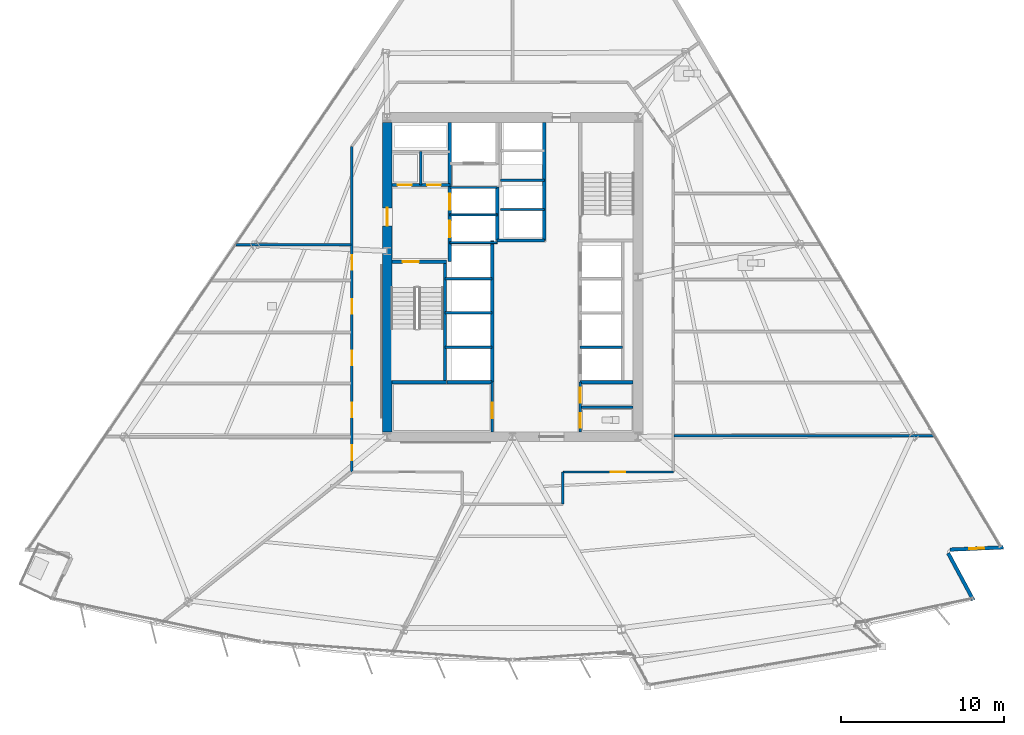
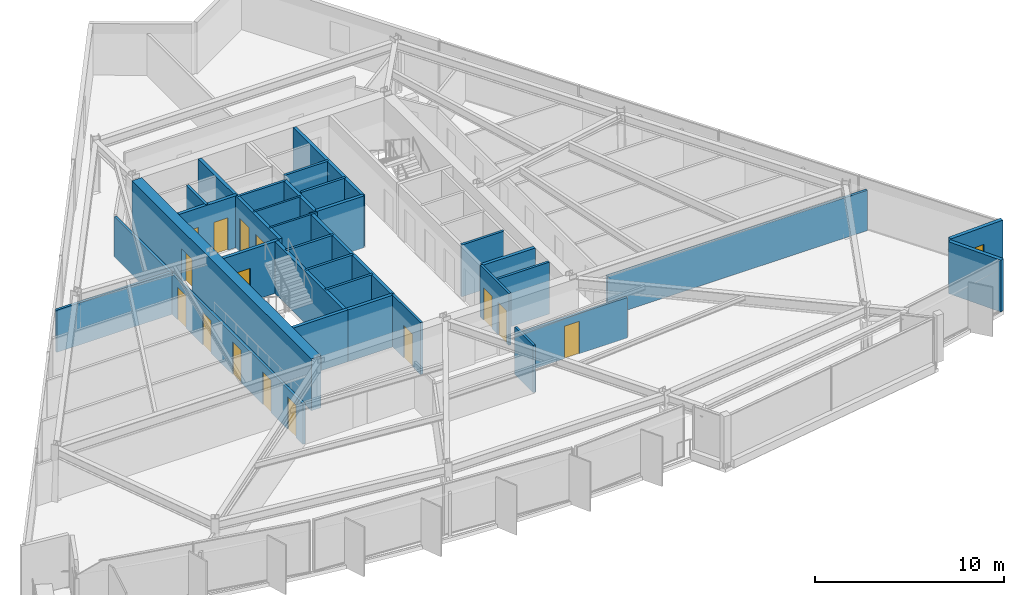
# One storey, part 9 of 18: 32 walls, 15 doors, 1 window, 16 openings.
"""IFC4 building model written with IfcOpenShell, lengths in metres."""

from ifc_helpers import new_model, si_unit, direction, frame, frame_2d, origin, place, context, subcontext, project, spatial, rectangle, extrude, material, layer, layer_set, type_object, element, fill, save


model = new_model("IFC4")

# Units and contexts
model_context = context("Model", 3, precision=1e-05, world=origin(), true_north=direction((0.0, 1.0)))
body_context = subcontext(model_context, "Body", "Model", "MODEL_VIEW")
ifc_project = project(units=[si_unit("LENGTHUNIT", "METRE"), si_unit("AREAUNIT", "SQUARE_METRE"), si_unit("VOLUMEUNIT", "CUBIC_METRE"), si_unit("PLANEANGLEUNIT", "RADIAN"), si_unit("MASSUNIT", "GRAM", prefix="KILO")], contexts=[model_context])

# Site, building, storey
site_placement = place(None, origin())
site = spatial("IfcSite", under=ifc_project, at=site_placement, CompositionType="ELEMENT")
building_placement = place(site_placement, origin())
building = spatial("IfcBuilding", under=site, at=building_placement, Name="Savorim Split Tower", CompositionType="ELEMENT")
storey_placement = place(building_placement, frame((0.0, 0.0, 48.0)))
storey = spatial("IfcBuildingStorey", under=building, at=storey_placement, Name="L12", CompositionType="ELEMENT", Elevation=48.0)

# Wall, opening, door
ifc_material_1 = material(Name="Concrete C60/75", Category="concrete")
ifc_layer_1 = layer(ifc_material_1, 0.60009765625)
ifc_layer_set_1 = layer_set([ifc_layer_1], Name="WAL-COR-SH600")
wall_type_1 = type_object("IfcWallType", Name="WAL-COR-SH600", PredefinedType="SHEAR", material=ifc_layer_set_1)
wall_1_placement = place(storey_placement, frame((-7.699951171875, -9.10009765625, 0.0), z_axis=(0.0, 0.0, 1.0), x_axis=(0.0, 1.0, 0.0)))
wall_1 = element("IfcWall", 1, at=wall_1_placement, inside=storey, type_object=wall_type_1, Name="L12 Offset Core West Shear Wall", PredefinedType="SHEAR", context=body_context, shape_type="SweptSolid", body=[
    extrude(rectangle(XDim=19.0, YDim=0.60009765625, at=frame_2d((9.5, 0.0))), origin(), (0.0, 0.0, 1.0), 3.35009765625),
])
opening_1_placement = place(wall_1_placement, frame((12.64990234375, 0.0, 0.0)))
opening_1 = element("IfcOpeningElement", 2, at=opening_1_placement, cuts=wall_1, Name="Opening DI-03", PredefinedType="OPENING", context=body_context, shape_type="SweptSolid", body=[
    extrude(rectangle(XDim=1.10009765625, YDim=2.14990234375, at=frame_2d((0.550048828125, 1.074951171875))), frame((0.0, 0.31005859375, 0.0), z_axis=(0.0, -1.0, 0.0), x_axis=(1.0, 0.0, 0.0)), (0.0, 0.0, 1.0), 0.6201171875),
])
ifc_material_2 = material(Name="Timber Fire Door Leaf", Category="wood")
door_type_1 = type_object("IfcDoorType", Name="DOR-FIR-1100", OperationType="NOTDEFINED", PredefinedType="DOOR", material=ifc_material_2)
door_1_placement = place(opening_1_placement, origin())
door_1 = element("IfcDoor", 3, at=door_1_placement, inside=storey, type_object=door_type_1, Name="DOR-L12-COR-FFLOB - L12 Firefighting Lobby Corridor Door", OperationType="SINGLE_SWING_RIGHT", OverallHeight=2.14990234375, OverallWidth=1.10009765625, PredefinedType="DOOR", context=body_context, shape_type="SweptSolid", body=[
    extrude(rectangle(XDim=1.10009765625, YDim=2.14990234375, at=frame_2d((0.550048828125, 1.074951171875))), frame((0.0, 0.02490234375, 0.0), z_axis=(0.0, -1.0, 0.0), x_axis=(1.0, 0.0, 0.0)), (0.0, 0.0, 1.0), 0.050048828125),
])
fill(opening_1, door_1)

# Wall
ifc_material_3 = material(Name="Precast concrete C40/50", Category="concrete")
ifc_layer_2 = layer(ifc_material_3, 0.219970703125)
ifc_layer_set_2 = layer_set([ifc_layer_2], Name="WAL-EXT-CRN220")
wall_type_2 = type_object("IfcWallType", Name="WAL-EXT-CRN220", PredefinedType="SOLIDWALL", material=ifc_layer_set_2)
wall_2_placement = place(storey_placement, frame((26.729248046875, -16.5400390625, 0.0), z_axis=(0.0, 0.0, 1.0), x_axis=(0.472830429959, -0.881153439819, 0.0)))
element("IfcWall", 4, at=wall_2_placement, inside=storey, type_object=wall_type_2, Name="L12 Notched Corner Facade Wall SE1", PredefinedType="SOLIDWALL", context=body_context, shape_type="SweptSolid", body=[
    extrude(rectangle(XDim=3.27001953125, YDim=0.219970703125, at=frame_2d((1.635009765625, 0.0))), origin(), (0.0, 0.0, 1.0), 3.35009765625),
])

# Wall, opening, window
wall_3_placement = place(storey_placement, frame((30.114990234375, -16.1875, 0.0), z_axis=(0.0, 0.0, 1.0), x_axis=(-0.999095638069, -0.042519477791, 0.0)))
wall_3 = element("IfcWall", 5, at=wall_3_placement, inside=storey, type_object=wall_type_2, Name="L12 Notched Corner Facade Wall SE", PredefinedType="SOLIDWALL", context=body_context, shape_type="SweptSolid", body=[
    extrude(rectangle(XDim=3.26708984375, YDim=0.219970703125, at=frame_2d((1.633544921875, 0.0))), origin(), (0.0, 0.0, 1.0), 3.35009765625),
])
opening_2_placement = place(wall_3_placement, frame((1.18359375, 0.0, 0.6201171875)))
opening_2 = element("IfcOpeningElement", 6, at=opening_2_placement, cuts=wall_3, Name="Opening WN-10", PredefinedType="OPENING", context=body_context, shape_type="SweptSolid", body=[
    extrude(rectangle(XDim=0.89990234375, YDim=1.60009765625, at=frame_2d((0.449951171875, 0.800048828125))), frame((0.0, 0.119873046875, 0.0), z_axis=(0.0, -1.0, 0.0), x_axis=(1.0, 0.0, 0.0)), (0.0, 0.0, 1.0), 0.239990234375),
])
ifc_material_4 = material(Name="Low-E Operable Double Glazing", Category="glass")
window_type = type_object("IfcWindowType", Name="WIN-TWR-900x1600", PartitioningType="SINGLE_PANEL", PredefinedType="WINDOW", material=ifc_material_4)
window_placement = place(opening_2_placement, origin())
window = element("IfcWindow", 7, at=window_placement, inside=storey, type_object=window_type, Name="L12 Operable Corner Window SE", OverallHeight=1.60009765625, OverallWidth=0.89990234375, PartitioningType="SINGLE_PANEL", PredefinedType="WINDOW", context=body_context, shape_type="SweptSolid", body=[
    extrude(rectangle(XDim=0.89990234375, YDim=1.60009765625, at=frame_2d((0.449951171875, 0.800048828125))), frame((0.0, 0.030029296875, 0.0), z_axis=(0.0, -1.0, 0.0), x_axis=(1.0, 0.0, 0.0)), (0.0, 0.0, 1.0), 0.06005859375),
])
fill(opening_2, window)

# Wall, opening, door
ifc_material_5 = material(Name="Concrete C50/60", Category="concrete")
ifc_layer_3 = layer(ifc_material_5, 0.199951171875)
ifc_layer_set_3 = layer_set([ifc_layer_3], Name="WAL-INT-RC200")
wall_type_3 = type_object("IfcWallType", Name="WAL-INT-RC200", PredefinedType="SOLIDWALL", material=ifc_layer_set_3)
wall_4_placement = place(storey_placement, frame((-7.39990234375, 1.35009765625, 0.0), z_axis=(0.0, 0.0, 1.0), x_axis=(1.0, 0.0, 0.0)))
wall_4 = element("IfcWall", 8, at=wall_4_placement, inside=storey, type_object=wall_type_3, Name="L12 Structural Shaft Wall W-L12-CR01", PredefinedType="SOLIDWALL", context=body_context, shape_type="SweptSolid", body=[
    extrude(rectangle(XDim=3.349853515625, YDim=0.199951171875, at=frame_2d((1.6748046875, 0.0))), origin(), (0.0, 0.0, 1.0), 3.35009765625),
])
opening_3_placement = place(wall_4_placement, frame((0.64990234375, 0.0, 0.0)))
opening_3 = element("IfcOpeningElement", 9, at=opening_3_placement, cuts=wall_4, Name="Opening DI-04", PredefinedType="OPENING", context=body_context, shape_type="SweptSolid", body=[
    extrude(rectangle(XDim=1.0, YDim=2.14990234375, at=frame_2d((0.5, 1.074951171875))), frame((0.0, 0.10986328125, 0.0), z_axis=(0.0, -1.0, 0.0), x_axis=(1.0, 0.0, 0.0)), (0.0, 0.0, 1.0), 0.219970703125),
])
door_type_2 = type_object("IfcDoorType", Name="DOR-FIR-1000", OperationType="NOTDEFINED", PredefinedType="DOOR", material=ifc_material_2)
door_2_placement = place(opening_3_placement, origin())
door_2 = element("IfcDoor", 10, at=door_2_placement, inside=storey, type_object=door_type_2, Name="DR-L12-ST1 - L12 Stair ST-1 Enclosure Door", OperationType="SINGLE_SWING_LEFT", OverallHeight=2.14990234375, OverallWidth=1.0, PredefinedType="DOOR", context=body_context, shape_type="SweptSolid", body=[
    extrude(rectangle(XDim=1.0, YDim=2.14990234375, at=frame_2d((0.5, 1.074951171875))), frame((0.0, 0.02490234375, 0.0), z_axis=(0.0, -1.0, 0.0), x_axis=(1.0, 0.0, 0.0)), (0.0, 0.0, 1.0), 0.050048828125),
])
fill(opening_3, door_2)

# Wall
wall_5_placement = place(storey_placement, frame((-4.14990234375, -5.949951171875, 0.0), z_axis=(0.0, 0.0, 1.0), x_axis=(0.0, 1.0, 0.0)))
element("IfcWall", 11, at=wall_5_placement, inside=storey, type_object=wall_type_3, Name="L12 Structural Shaft Wall W-L12-CR02", PredefinedType="SOLIDWALL", context=body_context, shape_type="SweptSolid", body=[
    extrude(rectangle(XDim=7.199951171875, YDim=0.199951171875, at=frame_2d((3.60009765625, 0.0))), origin(), (0.0, 0.0, 1.0), 3.35009765625),
])

# Wall, openings, doors
wall_6_placement = place(storey_placement, frame((-3.85009765625, 1.35009765625, 0.0), z_axis=(0.0, 0.0, 1.0), x_axis=(0.0, 1.0, 0.0)))
wall_6 = element("IfcWall", 12, at=wall_6_placement, inside=storey, type_object=wall_type_3, Name="L12 Partition W-L12-CR03", PredefinedType="SOLIDWALL", context=body_context, shape_type="SweptSolid", body=[
    extrude(rectangle(XDim=8.544921875, YDim=0.199951171875, at=frame_2d((4.2724609375, 0.0))), origin(), (0.0, 0.0, 1.0), 3.35009765625),
])
opening_4_placement = place(wall_6_placement, frame((1.5, 0.0, 0.0)))
opening_4 = element("IfcOpeningElement", 13, at=opening_4_placement, cuts=wall_6, Name="Opening LD-FFL", PredefinedType="OPENING", context=body_context, shape_type="SweptSolid", body=[
    extrude(rectangle(XDim=1.0, YDim=2.14990234375, at=frame_2d((0.5, 1.074951171875))), frame((0.0, 0.10986328125, 0.0), z_axis=(0.0, -1.0, 0.0), x_axis=(1.0, 0.0, 0.0)), (0.0, 0.0, 1.0), 0.219970703125),
])
opening_5_placement = place(wall_6_placement, frame((3.179931640625, 0.0, 0.0)))
opening_5 = element("IfcOpeningElement", 14, at=opening_5_placement, cuts=wall_6, Name="Opening LD-FFL", PredefinedType="OPENING", context=body_context, shape_type="SweptSolid", body=[
    extrude(rectangle(XDim=1.0, YDim=2.14990234375, at=frame_2d((0.5, 1.074951171875))), frame((0.0, 0.10986328125, 0.0), z_axis=(0.0, -1.0, 0.0), x_axis=(1.0, 0.0, 0.0)), (0.0, 0.0, 1.0), 0.219970703125),
])
ifc_material_6 = material(Name="Charcoal Anodised Aluminium", Category="aluminium")
door_type_3 = type_object("IfcDoorType", Name="DOR-SLD-LD1000", OperationType="NOTDEFINED", PredefinedType="DOOR", material=ifc_material_6)
door_3_placement = place(opening_4_placement, origin())
door_3 = element("IfcDoor", 15, at=door_3_placement, inside=storey, type_object=door_type_3, Name="DR-L12-LD-FFL1 - L12 Firefighting Lift FFL-1 Sliding Landing Door", OperationType="DOUBLE_DOOR_SLIDING", OverallHeight=2.14990234375, OverallWidth=1.0, PredefinedType="DOOR", context=body_context, shape_type="SweptSolid", body=[
    extrude(rectangle(XDim=1.0, YDim=2.14990234375, at=frame_2d((0.5, 1.074951171875))), frame((0.0, 0.02490234375, 0.0), z_axis=(0.0, -1.0, 0.0), x_axis=(1.0, 0.0, 0.0)), (0.0, 0.0, 1.0), 0.050048828125),
])
fill(opening_4, door_3)
door_4_placement = place(opening_5_placement, origin())
door_4 = element("IfcDoor", 16, at=door_4_placement, inside=storey, type_object=door_type_3, Name="DR-L12-LD-FFL2 - L12 Firefighting Lift FFL-2 Sliding Landing Door", OperationType="DOUBLE_DOOR_SLIDING", OverallHeight=2.14990234375, OverallWidth=1.0, PredefinedType="DOOR", context=body_context, shape_type="SweptSolid", body=[
    extrude(rectangle(XDim=1.0, YDim=2.14990234375, at=frame_2d((0.5, 1.074951171875))), frame((0.0, 0.02490234375, 0.0), z_axis=(0.0, -1.0, 0.0), x_axis=(1.0, 0.0, 0.0)), (0.0, 0.0, 1.0), 0.050048828125),
])
fill(opening_5, door_4)

wall_7_placement = place(storey_placement, frame((-7.39501953125, 6.050048828125, 0.0), z_axis=(0.0, 0.0, 1.0), x_axis=(1.0, 0.0, 0.0)))
wall_7 = element("IfcWall", 17, at=wall_7_placement, inside=storey, type_object=wall_type_3, Name="L12 Partition W-L12-CR04", PredefinedType="SOLIDWALL", context=body_context, shape_type="SweptSolid", body=[
    extrude(rectangle(XDim=3.544921875, YDim=0.199951171875, at=frame_2d((1.7724609375, 0.0))), origin(), (0.0, 0.0, 1.0), 3.35009765625),
])
opening_6_placement = place(wall_7_placement, frame((0.344970703125, 0.0, 0.0)))
opening_6 = element("IfcOpeningElement", 18, at=opening_6_placement, cuts=wall_7, Name="Opening DI-12", PredefinedType="OPENING", context=body_context, shape_type="SweptSolid", body=[
    extrude(rectangle(XDim=0.85009765625, YDim=2.10009765625, at=frame_2d((0.425048828125, 1.050048828125))), frame((0.0, 0.10986328125, 0.0), z_axis=(0.0, -1.0, 0.0), x_axis=(1.0, 0.0, 0.0)), (0.0, 0.0, 1.0), 0.219970703125),
])
opening_7_placement = place(wall_7_placement, frame((2.14501953125, 0.0, 0.0)))
opening_7 = element("IfcOpeningElement", 19, at=opening_7_placement, cuts=wall_7, Name="Opening DI-12", PredefinedType="OPENING", context=body_context, shape_type="SweptSolid", body=[
    extrude(rectangle(XDim=0.85009765625, YDim=2.10009765625, at=frame_2d((0.425048828125, 1.050048828125))), frame((0.0, 0.10986328125, 0.0), z_axis=(0.0, -1.0, 0.0), x_axis=(1.0, 0.0, 0.0)), (0.0, 0.0, 1.0), 0.219970703125),
])
ifc_material_7 = material(Name="Galvanised Painted Steel Balustrade", Category="steel")
door_type_4 = type_object("IfcDoorType", Name="DOR-RIS-850", OperationType="NOTDEFINED", PredefinedType="DOOR", material=ifc_material_7)
door_5_placement = place(opening_6_placement, origin())
door_5 = element("IfcDoor", 20, at=door_5_placement, inside=storey, type_object=door_type_4, Name="DR-L12-ELR - L12 Electrical Riser Access Door", OperationType="SINGLE_SWING_RIGHT", OverallHeight=2.10009765625, OverallWidth=0.85009765625, PredefinedType="DOOR", context=body_context, shape_type="SweptSolid", body=[
    extrude(rectangle(XDim=0.85009765625, YDim=2.10009765625, at=frame_2d((0.425048828125, 1.050048828125))), frame((0.0, 0.02490234375, 0.0), z_axis=(0.0, -1.0, 0.0), x_axis=(1.0, 0.0, 0.0)), (0.0, 0.0, 1.0), 0.050048828125),
])
fill(opening_6, door_5)
door_6_placement = place(opening_7_placement, origin())
door_6 = element("IfcDoor", 21, at=door_6_placement, inside=storey, type_object=door_type_4, Name="DR-L12-TLR - L12 Telecom Riser Access Door", OperationType="SINGLE_SWING_LEFT", OverallHeight=2.10009765625, OverallWidth=0.85009765625, PredefinedType="DOOR", context=body_context, shape_type="SweptSolid", body=[
    extrude(rectangle(XDim=0.85009765625, YDim=2.10009765625, at=frame_2d((0.425048828125, 1.050048828125))), frame((0.0, 0.02490234375, 0.0), z_axis=(0.0, -1.0, 0.0), x_axis=(1.0, 0.0, 0.0)), (0.0, 0.0, 1.0), 0.050048828125),
])
fill(opening_7, door_6)

# Walls
wall_8_placement = place(storey_placement, frame((-0.949951171875, 2.64990234375, 0.0), z_axis=(0.0, 0.0, 1.0), x_axis=(0.0, 1.0, 0.0)))
element("IfcWall", 22, at=wall_8_placement, inside=storey, type_object=wall_type_3, Name="L12 Partition W-L12-FFLW", PredefinedType="SOLIDWALL", context=body_context, shape_type="SweptSolid", body=[
    extrude(rectangle(XDim=3.27001953125, YDim=0.199951171875, at=frame_2d((1.635009765625, 0.0))), origin(), (0.0, 0.0, 1.0), 3.35009765625),
])
wall_9_placement = place(storey_placement, frame((-1.25, -6.050048828125, 0.0), z_axis=(0.0, 0.0, 1.0), x_axis=(0.0, 1.0, 0.0)))
element("IfcWall", 23, at=wall_9_placement, inside=storey, type_object=wall_type_3, Name="L12 Partition W-L12-B2FRONT", PredefinedType="SOLIDWALL", context=body_context, shape_type="SweptSolid", body=[
    extrude(rectangle(XDim=8.699951171875, YDim=0.199951171875, at=frame_2d((4.35009765625, 0.0))), origin(), (0.0, 0.0, 1.0), 3.35009765625),
])
wall_10_placement = place(storey_placement, frame((1.949951171875, 2.64990234375, 0.0), z_axis=(0.0, 0.0, 1.0), x_axis=(0.0, 1.0, 0.0)))
element("IfcWall", 24, at=wall_10_placement, inside=storey, type_object=wall_type_3, Name="L12 Partition W-L12-B3FRONT", PredefinedType="SOLIDWALL", context=body_context, shape_type="SweptSolid", body=[
    extrude(rectangle(XDim=7.2451171875, YDim=0.199951171875, at=frame_2d((3.62255859375, 0.0))), origin(), (0.0, 0.0, 1.0), 3.35009765625),
])
wall_11_placement = place(storey_placement, frame((-0.949951171875, 2.64990234375, 0.0), z_axis=(0.0, 0.0, 1.0), x_axis=(1.0, 0.0, 0.0)))
element("IfcWall", 25, at=wall_11_placement, inside=storey, type_object=wall_type_3, Name="L12 Partition W-L12-B3SOUTH", PredefinedType="SOLIDWALL", context=body_context, shape_type="SweptSolid", body=[
    extrude(rectangle(XDim=2.89990234375, YDim=0.199951171875, at=frame_2d((1.449951171875, 0.0))), origin(), (0.0, 0.0, 1.0), 3.35009765625),
])
wall_12_placement = place(storey_placement, frame((-7.39990234375, -6.050048828125, 0.0), z_axis=(0.0, 0.0, 1.0), x_axis=(1.0, 0.0, 0.0)))
element("IfcWall", 26, at=wall_12_placement, inside=storey, type_object=wall_type_3, Name="L12 Structural Shaft Wall W-L12-KSEP-W", PredefinedType="SOLIDWALL", context=body_context, shape_type="SweptSolid", body=[
    extrude(rectangle(XDim=3.349853515625, YDim=0.199951171875, at=frame_2d((1.6748046875, 0.0))), origin(), (0.0, 0.0, 1.0), 3.35009765625),
])
wall_13_placement = place(storey_placement, frame((-4.0400390625, -6.050048828125, 0.0), z_axis=(0.0, 0.0, 1.0), x_axis=(1.0, 0.0, 0.0)))
element("IfcWall", 27, at=wall_13_placement, inside=storey, type_object=wall_type_3, Name="L12 Partition W-L12-KSEP-W2", PredefinedType="SOLIDWALL", context=body_context, shape_type="SweptSolid", body=[
    extrude(rectangle(XDim=2.7900390625, YDim=0.199951171875, at=frame_2d((1.39501953125, 0.0))), origin(), (0.0, 0.0, 1.0), 3.35009765625),
])
wall_14_placement = place(storey_placement, frame((4.14990234375, -6.050048828125, 0.0), z_axis=(0.0, 0.0, 1.0), x_axis=(1.0, 0.0, 0.0)))
element("IfcWall", 28, at=wall_14_placement, inside=storey, type_object=wall_type_3, Name="L12 Partition W-L12-KSEP-E", PredefinedType="SOLIDWALL", context=body_context, shape_type="SweptSolid", body=[
    extrude(rectangle(XDim=3.2451171875, YDim=0.199951171875, at=frame_2d((1.62255859375, 0.0))), origin(), (0.0, 0.0, 1.0), 3.35009765625),
])
ifc_material_8 = material(Name="Acoustic Gypsum Partition Board")
ifc_layer_4 = layer(ifc_material_8, 0.1201171875)
ifc_layer_set_4 = layer_set([ifc_layer_4], Name="WAL-PAR-120")
wall_type_4 = type_object("IfcWallType", Name="WAL-PAR-120", PredefinedType="PARTITIONING", material=ifc_layer_set_4)
for number, where, z_axis, x_axis, name in (
    (29, (-3.85009765625, 2.52001953125, 0.0), (0.0, 0.0, 1.0), (1.0, 0.0, 0.0), "L12 Partition W-L12-FFLD0"),
    (30, (-3.85009765625, 4.219970703125, 0.0), (0.0, 0.0, 1.0), (1.0, 0.0, 0.0), "L12 Partition W-L12-FFLD1"),
):
    element("IfcWall", number, at=place(storey_placement, frame(where, z_axis=z_axis, x_axis=x_axis)), inside=storey, type_object=wall_type_4, Name=name, PredefinedType="PARTITIONING", context=body_context, shape_type="SweptSolid", body=[
        extrude(rectangle(XDim=2.900146484375, YDim=0.1201171875, at=frame_2d((1.4501953125, 0.0))), origin(), (0.0, 0.0, 1.0), 3.35009765625),
    ])
ifc_layer_5 = layer(ifc_material_8, 0.14990234375)
ifc_layer_set_5 = layer_set([ifc_layer_5], Name="WAL-PAR-150")
wall_type_5 = type_object("IfcWallType", Name="WAL-PAR-150", PredefinedType="PARTITIONING", material=ifc_layer_set_5)
wall_15_placement = place(storey_placement, frame((-5.64990234375, 6.050048828125, 0.0), z_axis=(0.0, 0.0, 1.0), x_axis=(0.0, 1.0, 0.0)))
element("IfcWall", 31, at=wall_15_placement, inside=storey, type_object=wall_type_5, Name="L12 Partition W-L12-CR06", PredefinedType="PARTITIONING", context=body_context, shape_type="SweptSolid", body=[
    extrude(rectangle(XDim=2.050048828125, YDim=0.14990234375, at=frame_2d((1.02490234375, 0.0))), origin(), (0.0, 0.0, 1.0), 3.35009765625),
])
wall_16_placement = place(storey_placement, frame((-3.85009765625, 5.89990234375, 0.0), z_axis=(0.0, 0.0, 1.0), x_axis=(1.0, 0.0, 0.0)))
element("IfcWall", 32, at=wall_16_placement, inside=storey, type_object=wall_type_5, Name="L12 Partition W-L12-FFLD2", PredefinedType="PARTITIONING", context=body_context, shape_type="SweptSolid", body=[
    extrude(rectangle(XDim=2.900146484375, YDim=0.14990234375, at=frame_2d((1.4501953125, 0.0))), origin(), (0.0, 0.0, 1.0), 3.35009765625),
])
wall_17_placement = place(storey_placement, frame((4.14990234375, -3.89990234375, 0.0), z_axis=(0.0, 0.0, 1.0), x_axis=(1.0, 0.0, 0.0)))
element("IfcWall", 33, at=wall_17_placement, inside=storey, type_object=wall_type_5, Name="L12 Partition W-L12-B1DIV1", PredefinedType="PARTITIONING", context=body_context, shape_type="SweptSolid", body=[
    extrude(rectangle(XDim=2.60009765625, YDim=0.14990234375, at=frame_2d((1.300048828125, 0.0))), origin(), (0.0, 0.0, 1.0), 3.35009765625),
])
for number, where, z_axis, x_axis, name in (
    (34, (-4.14990234375, -3.89990234375, 0.0), (0.0, 0.0, 1.0), (1.0, 0.0, 0.0), "L12 Partition W-L12-B2DIV1"),
    (35, (-4.14990234375, -1.800048828125, 0.0), (0.0, 0.0, 1.0), (1.0, 0.0, 0.0), "L12 Partition W-L12-B2DIV2"),
    (36, (-4.14990234375, 0.300048828125, 0.0), (0.0, 0.0, 1.0), (1.0, 0.0, 0.0), "L12 Partition W-L12-B2DIV3"),
):
    element("IfcWall", number, at=place(storey_placement, frame(where, z_axis=z_axis, x_axis=x_axis)), inside=storey, type_object=wall_type_5, Name=name, PredefinedType="PARTITIONING", context=body_context, shape_type="SweptSolid", body=[
        extrude(rectangle(XDim=2.89990234375, YDim=0.14990234375, at=frame_2d((1.449951171875, 0.0))), origin(), (0.0, 0.0, 1.0), 3.35009765625),
    ])
for number, where, z_axis, x_axis, name in (
    (37, (-0.75, 4.550048828125, 0.0), (0.0, 0.0, 1.0), (1.0, 0.0, 0.0), "L12 Partition W-L12-B3DIV1"),
    (38, (-0.75, 6.35009765625, 0.0), (0.0, 0.0, 1.0), (1.0, 0.0, 0.0), "L12 Partition W-L12-B3DIV2"),
):
    element("IfcWall", number, at=place(storey_placement, frame(where, z_axis=z_axis, x_axis=x_axis)), inside=storey, type_object=wall_type_5, Name=name, PredefinedType="PARTITIONING", context=body_context, shape_type="SweptSolid", body=[
        extrude(rectangle(XDim=2.699951171875, YDim=0.14990234375, at=frame_2d((1.35009765625, 0.0))), origin(), (0.0, 0.0, 1.0), 3.35009765625),
    ])

# Wall, opening, door
wall_18_placement = place(storey_placement, frame((-1.25, -9.094970703125, 0.0), z_axis=(0.0, 0.0, 1.0), x_axis=(0.0, 1.0, 0.0)))
wall_18 = element("IfcWall", 39, at=wall_18_placement, inside=storey, type_object=wall_type_5, Name="L12 Partition W-L12-KLOB-W", PredefinedType="PARTITIONING", context=body_context, shape_type="SweptSolid", body=[
    extrude(rectangle(XDim=3.044921875, YDim=0.14990234375, at=frame_2d((1.5224609375, 0.0))), origin(), (0.0, 0.0, 1.0), 3.35009765625),
])
opening_8_placement = place(wall_18_placement, frame((0.844970703125, 0.0, 0.0)))
opening_8 = element("IfcOpeningElement", 40, at=opening_8_placement, cuts=wall_18, Name="Opening DI-05", PredefinedType="OPENING", context=body_context, shape_type="SweptSolid", body=[
    extrude(rectangle(XDim=0.949951171875, YDim=2.10009765625, at=frame_2d((0.47509765625, 1.050048828125))), frame((0.0, 0.0849609375, 0.0), z_axis=(0.0, -1.0, 0.0), x_axis=(1.0, 0.0, 0.0)), (0.0, 0.0, 1.0), 0.169921875),
])
door_type_5 = type_object("IfcDoorType", Name="DOR-FIR-950", OperationType="NOTDEFINED", PredefinedType="DOOR", material=ifc_material_2)
door_7_placement = place(opening_8_placement, origin())
door_7 = element("IfcDoor", 41, at=door_7_placement, inside=storey, type_object=door_type_5, Name="DR-L12-K3LIN - L12 Housekeeping Store Door", OperationType="SINGLE_SWING_LEFT", OverallHeight=2.10009765625, OverallWidth=0.949951171875, PredefinedType="DOOR", context=body_context, shape_type="SweptSolid", body=[
    extrude(rectangle(XDim=0.949951171875, YDim=2.10009765625, at=frame_2d((0.47509765625, 1.050048828125))), frame((0.0, 0.02490234375, 0.0), z_axis=(0.0, -1.0, 0.0), x_axis=(1.0, 0.0, 0.0)), (0.0, 0.0, 1.0), 0.050048828125),
])
fill(opening_8, door_7)

# Wall, openings, doors
wall_19_placement = place(storey_placement, frame((4.14990234375, -9.094970703125, 0.0), z_axis=(0.0, 0.0, 1.0), x_axis=(0.0, 1.0, 0.0)))
wall_19 = element("IfcWall", 42, at=wall_19_placement, inside=storey, type_object=wall_type_5, Name="L12 Partition W-L12-KLOB-E", PredefinedType="PARTITIONING", context=body_context, shape_type="SweptSolid", body=[
    extrude(rectangle(XDim=3.044921875, YDim=0.14990234375, at=frame_2d((1.5224609375, 0.0))), origin(), (0.0, 0.0, 1.0), 3.35009765625),
])
opening_9_placement = place(wall_19_placement, frame((0.2451171875, 0.0, 0.0)))
opening_9 = element("IfcOpeningElement", 43, at=opening_9_placement, cuts=wall_19, Name="Opening DI-11", PredefinedType="OPENING", context=body_context, shape_type="SweptSolid", body=[
    extrude(rectangle(XDim=0.89990234375, YDim=2.10009765625, at=frame_2d((0.449951171875, 1.050048828125))), frame((0.0, 0.0849609375, 0.0), z_axis=(0.0, -1.0, 0.0), x_axis=(1.0, 0.0, 0.0)), (0.0, 0.0, 1.0), 0.169921875),
])
opening_10_placement = place(wall_19_placement, frame((1.794921875, 0.0, 0.0)))
opening_10 = element("IfcOpeningElement", 44, at=opening_10_placement, cuts=wall_19, Name="Opening DI-06", PredefinedType="OPENING", context=body_context, shape_type="SweptSolid", body=[
    extrude(rectangle(XDim=0.89990234375, YDim=2.10009765625, at=frame_2d((0.449951171875, 1.050048828125))), frame((0.0, 0.0849609375, 0.0), z_axis=(0.0, -1.0, 0.0), x_axis=(1.0, 0.0, 0.0)), (0.0, 0.0, 1.0), 0.169921875),
])
door_type_6 = type_object("IfcDoorType", Name="DOR-FIR-900", OperationType="NOTDEFINED", PredefinedType="DOOR", material=ifc_material_2)
door_8_placement = place(opening_10_placement, origin())
door_8 = element("IfcDoor", 45, at=door_8_placement, inside=storey, type_object=door_type_6, Name="DR-L12-K3LCK - L12 Cleaning Store Door", OperationType="SINGLE_SWING_LEFT", OverallHeight=2.10009765625, OverallWidth=0.89990234375, PredefinedType="DOOR", context=body_context, shape_type="SweptSolid", body=[
    extrude(rectangle(XDim=0.89990234375, YDim=2.10009765625, at=frame_2d((0.449951171875, 1.050048828125))), frame((0.0, 0.02490234375, 0.0), z_axis=(0.0, -1.0, 0.0), x_axis=(1.0, 0.0, 0.0)), (0.0, 0.0, 1.0), 0.050048828125),
])
fill(opening_10, door_8)
ifc_material_9 = material(Name="Oak Veneer Acoustic Door")
door_type_7 = type_object("IfcDoorType", Name="DOR-WC-900", OperationType="NOTDEFINED", PredefinedType="DOOR", material=ifc_material_9)
door_9_placement = place(opening_9_placement, origin())
door_9 = element("IfcDoor", 46, at=door_9_placement, inside=storey, type_object=door_type_7, Name="DR-L12-K3AWC - L12 Core Accessible WC Door", OperationType="SINGLE_SWING_RIGHT", OverallHeight=2.10009765625, OverallWidth=0.89990234375, PredefinedType="DOOR", context=body_context, shape_type="SweptSolid", body=[
    extrude(rectangle(XDim=0.89990234375, YDim=2.10009765625, at=frame_2d((0.449951171875, 1.050048828125))), frame((0.0, 0.02490234375, 0.0), z_axis=(0.0, -1.0, 0.0), x_axis=(1.0, 0.0, 0.0)), (0.0, 0.0, 1.0), 0.050048828125),
])
fill(opening_9, door_9)

# Wall
wall_20_placement = place(storey_placement, frame((4.14990234375, -7.580078125, 0.0), z_axis=(0.0, 0.0, 1.0), x_axis=(1.0, 0.0, 0.0)))
element("IfcWall", 47, at=wall_20_placement, inside=storey, type_object=wall_type_5, Name="L12 Partition W-L12-K3H", PredefinedType="PARTITIONING", context=body_context, shape_type="SweptSolid", body=[
    extrude(rectangle(XDim=3.2451171875, YDim=0.14990234375, at=frame_2d((1.62255859375, 0.0))), origin(), (0.0, 0.0, 1.0), 3.35009765625),
])

# Wall, openings, doors
wall_21_placement = place(storey_placement, frame((-9.860107421875, -11.56005859375, 0.0), z_axis=(0.0, 0.0, 1.0), x_axis=(0.0, 1.0, 0.0)))
wall_21 = element("IfcWall", 48, at=wall_21_placement, inside=storey, type_object=wall_type_5, Name="L12 Partition W-L12-COR-01", PredefinedType="PARTITIONING", context=body_context, shape_type="SweptSolid", body=[
    extrude(rectangle(XDim=19.98583984375, YDim=0.14990234375, at=frame_2d((9.992919921875, 0.0))), origin(), (0.0, 0.0, 1.0), 2.60888671875),
])
opening_11_placement = place(wall_21_placement, frame((9.715087890625, 0.0, 0.0)))
opening_11 = element("IfcOpeningElement", 49, at=opening_11_placement, cuts=wall_21, Name="Opening DI-06", PredefinedType="OPENING", context=body_context, shape_type="SweptSolid", body=[
    extrude(rectangle(XDim=0.89990234375, YDim=2.10009765625, at=frame_2d((0.449951171875, 1.050048828125))), frame((0.0, 0.0849609375, 0.0), z_axis=(0.0, -1.0, 0.0), x_axis=(1.0, 0.0, 0.0)), (0.0, 0.0, 1.0), 0.169921875),
])
opening_12_placement = place(wall_21_placement, frame((6.553466796875, 0.0, 0.0)))
opening_12 = element("IfcOpeningElement", 50, at=opening_12_placement, cuts=wall_21, Name="Opening DI-06", PredefinedType="OPENING", context=body_context, shape_type="SweptSolid", body=[
    extrude(rectangle(XDim=0.89990234375, YDim=2.10009765625, at=frame_2d((0.449951171875, 1.050048828125))), frame((0.0, 0.0849609375, 0.0), z_axis=(0.0, -1.0, 0.0), x_axis=(1.0, 0.0, 0.0)), (0.0, 0.0, 1.0), 0.169921875),
])
opening_13_placement = place(wall_21_placement, frame((3.356201171875, 0.0, 0.0)))
opening_13 = element("IfcOpeningElement", 51, at=opening_13_placement, cuts=wall_21, Name="Opening DI-06", PredefinedType="OPENING", context=body_context, shape_type="SweptSolid", body=[
    extrude(rectangle(XDim=0.89990234375, YDim=2.10009765625, at=frame_2d((0.449951171875, 1.050048828125))), frame((0.0, 0.0849609375, 0.0), z_axis=(0.0, -1.0, 0.0), x_axis=(1.0, 0.0, 0.0)), (0.0, 0.0, 1.0), 0.169921875),
])
opening_14_placement = place(wall_21_placement, frame((0.725341796875, 0.0, 0.0)))
opening_14 = element("IfcOpeningElement", 52, at=opening_14_placement, cuts=wall_21, Name="Opening DI-06", PredefinedType="OPENING", context=body_context, shape_type="SweptSolid", body=[
    extrude(rectangle(XDim=0.89990234375, YDim=2.10009765625, at=frame_2d((0.449951171875, 1.050048828125))), frame((0.0, 0.0849609375, 0.0), z_axis=(0.0, -1.0, 0.0), x_axis=(1.0, 0.0, 0.0)), (0.0, 0.0, 1.0), 0.169921875),
])
opening_15_placement = place(wall_21_placement, frame((12.400390625, 0.0, 0.0)))
opening_15 = element("IfcOpeningElement", 53, at=opening_15_placement, cuts=wall_21, Name="Opening DI-06", PredefinedType="OPENING", context=body_context, shape_type="SweptSolid", body=[
    extrude(rectangle(XDim=0.89990234375, YDim=2.10009765625, at=frame_2d((0.449951171875, 1.050048828125))), frame((0.0, 0.0849609375, 0.0), z_axis=(0.0, -1.0, 0.0), x_axis=(1.0, 0.0, 0.0)), (0.0, 0.0, 1.0), 0.169921875),
])
door_10_placement = place(opening_11_placement, origin())
door_10 = element("IfcDoor", 54, at=door_10_placement, inside=storey, type_object=door_type_6, Name="DR-L12-RM01 - L12 Shared Kitchen Entry Door", OperationType="SINGLE_SWING_RIGHT", OverallHeight=2.10009765625, OverallWidth=0.89990234375, PredefinedType="DOOR", context=body_context, shape_type="SweptSolid", body=[
    extrude(rectangle(XDim=0.89990234375, YDim=2.10009765625, at=frame_2d((0.449951171875, 1.050048828125))), frame((0.0, 0.02490234375, 0.0), z_axis=(0.0, -1.0, 0.0), x_axis=(1.0, 0.0, 0.0)), (0.0, 0.0, 1.0), 0.050048828125),
])
fill(opening_11, door_10)
door_11_placement = place(opening_12_placement, origin())
door_11 = element("IfcDoor", 55, at=door_11_placement, inside=storey, type_object=door_type_6, Name="DR-L12-RM02 - L12 Quiet Study Room Entry Door", OperationType="SINGLE_SWING_LEFT", OverallHeight=2.10009765625, OverallWidth=0.89990234375, PredefinedType="DOOR", context=body_context, shape_type="SweptSolid", body=[
    extrude(rectangle(XDim=0.89990234375, YDim=2.10009765625, at=frame_2d((0.449951171875, 1.050048828125))), frame((0.0, 0.02490234375, 0.0), z_axis=(0.0, -1.0, 0.0), x_axis=(1.0, 0.0, 0.0)), (0.0, 0.0, 1.0), 0.050048828125),
])
fill(opening_12, door_11)
door_12_placement = place(opening_13_placement, origin())
door_12 = element("IfcDoor", 56, at=door_12_placement, inside=storey, type_object=door_type_6, Name="DR-L12-RM03 - L12 Quiet Study Room Entry Door", OperationType="SINGLE_SWING_RIGHT", OverallHeight=2.10009765625, OverallWidth=0.89990234375, PredefinedType="DOOR", context=body_context, shape_type="SweptSolid", body=[
    extrude(rectangle(XDim=0.89990234375, YDim=2.10009765625, at=frame_2d((0.449951171875, 1.050048828125))), frame((0.0, 0.02490234375, 0.0), z_axis=(0.0, -1.0, 0.0), x_axis=(1.0, 0.0, 0.0)), (0.0, 0.0, 1.0), 0.050048828125),
])
fill(opening_13, door_12)
door_13_placement = place(opening_14_placement, origin())
door_13 = element("IfcDoor", 57, at=door_13_placement, inside=storey, type_object=door_type_6, Name="DR-L12-RM04 - L12 Co-Working Commons Entry Door", OperationType="SINGLE_SWING_LEFT", OverallHeight=2.10009765625, OverallWidth=0.89990234375, PredefinedType="DOOR", context=body_context, shape_type="SweptSolid", body=[
    extrude(rectangle(XDim=0.89990234375, YDim=2.10009765625, at=frame_2d((0.449951171875, 1.050048828125))), frame((0.0, 0.02490234375, 0.0), z_axis=(0.0, -1.0, 0.0), x_axis=(1.0, 0.0, 0.0)), (0.0, 0.0, 1.0), 0.050048828125),
])
fill(opening_14, door_13)
door_14_placement = place(opening_15_placement, origin())
door_14 = element("IfcDoor", 58, at=door_14_placement, inside=storey, type_object=door_type_6, Name="DR-L12-RM16 - L12 Co-Living Bedroom Entry Door", OperationType="SINGLE_SWING_LEFT", OverallHeight=2.10009765625, OverallWidth=0.89990234375, PredefinedType="DOOR", context=body_context, shape_type="SweptSolid", body=[
    extrude(rectangle(XDim=0.89990234375, YDim=2.10009765625, at=frame_2d((0.449951171875, 1.050048828125))), frame((0.0, 0.02490234375, 0.0), z_axis=(0.0, -1.0, 0.0), x_axis=(1.0, 0.0, 0.0)), (0.0, 0.0, 1.0), 0.050048828125),
])
fill(opening_15, door_14)

# Wall, opening, door
wall_22_placement = place(storey_placement, frame((9.860107421875, -11.56005859375, 0.0), z_axis=(0.0, 0.0, 1.0), x_axis=(-1.0, 0.0, 0.0)))
wall_22 = element("IfcWall", 59, at=wall_22_placement, inside=storey, type_object=wall_type_5, Name="L12 Partition W-L12-COR-06", PredefinedType="PARTITIONING", context=body_context, shape_type="SweptSolid", body=[
    extrude(rectangle(XDim=6.780029296875, YDim=0.14990234375, at=frame_2d((3.39013671875, 0.0))), origin(), (0.0, 0.0, 1.0), 2.60888671875),
])
opening_16_placement = place(wall_22_placement, frame((2.93994140625, 0.0, 0.0)))
opening_16 = element("IfcOpeningElement", 60, at=opening_16_placement, cuts=wall_22, Name="Opening DI-06", PredefinedType="OPENING", context=body_context, shape_type="SweptSolid", body=[
    extrude(rectangle(XDim=0.89990234375, YDim=2.10009765625, at=frame_2d((0.449951171875, 1.050048828125))), frame((0.0, 0.0849609375, 0.0), z_axis=(0.0, -1.0, 0.0), x_axis=(1.0, 0.0, 0.0)), (0.0, 0.0, 1.0), 0.169921875),
])
door_15_placement = place(opening_16_placement, origin())
door_15 = element("IfcDoor", 61, at=door_15_placement, inside=storey, type_object=door_type_6, Name="DR-L12-RM06 - L12 Co-Working Commons Entry Door", OperationType="SINGLE_SWING_LEFT", OverallHeight=2.10009765625, OverallWidth=0.89990234375, PredefinedType="DOOR", context=body_context, shape_type="SweptSolid", body=[
    extrude(rectangle(XDim=0.89990234375, YDim=2.10009765625, at=frame_2d((0.449951171875, 1.050048828125))), frame((0.0, 0.02490234375, 0.0), z_axis=(0.0, -1.0, 0.0), x_axis=(1.0, 0.0, 0.0)), (0.0, 0.0, 1.0), 0.050048828125),
])
fill(opening_16, door_15)

# Walls
wall_23_placement = place(storey_placement, frame((3.080078125, -11.56005859375, 0.0), z_axis=(0.0, 0.0, 1.0), x_axis=(0.0, -1.0, 0.0)))
element("IfcWall", 62, at=wall_23_placement, inside=storey, type_object=wall_type_5, Name="L12 Partition W-L12-COR-07", PredefinedType="PARTITIONING", context=body_context, shape_type="SweptSolid", body=[
    extrude(rectangle(XDim=1.969970703125, YDim=0.14990234375, at=frame_2d((0.98486328125, 0.0))), origin(), (0.0, 0.0, 1.0), 3.054931640625),
])
wall_24_placement = place(storey_placement, frame((9.919921875, -9.3388671875, 0.0), z_axis=(0.0, 0.0, 1.0), x_axis=(1.0, 0.0, 0.0)))
element("IfcWall", 63, at=wall_24_placement, inside=storey, type_object=wall_type_5, Name="L12 Partition W-L12-PRAD05", PredefinedType="PARTITIONING", context=body_context, shape_type="SweptSolid", body=[
    extrude(rectangle(XDim=15.899658203125, YDim=0.14990234375, at=frame_2d((7.94970703125, 0.0))), origin(), (0.0, 0.0, 1.0), 2.60888671875),
])
wall_25_placement = place(storey_placement, frame((-9.919921875, 2.377197265625, 0.0), z_axis=(0.0, 0.0, 1.0), x_axis=(-1.0, 0.0, 0.0)))
element("IfcWall", 64, at=wall_25_placement, inside=storey, type_object=wall_type_5, Name="L12 Partition W-L12-PRAD09", PredefinedType="PARTITIONING", context=body_context, shape_type="SweptSolid", body=[
    extrude(rectangle(XDim=7.059814453125, YDim=0.14990234375, at=frame_2d((3.52978515625, 0.0))), origin(), (0.0, 0.0, 1.0), 2.72509765625),
])

save(model, "model.ifc")
